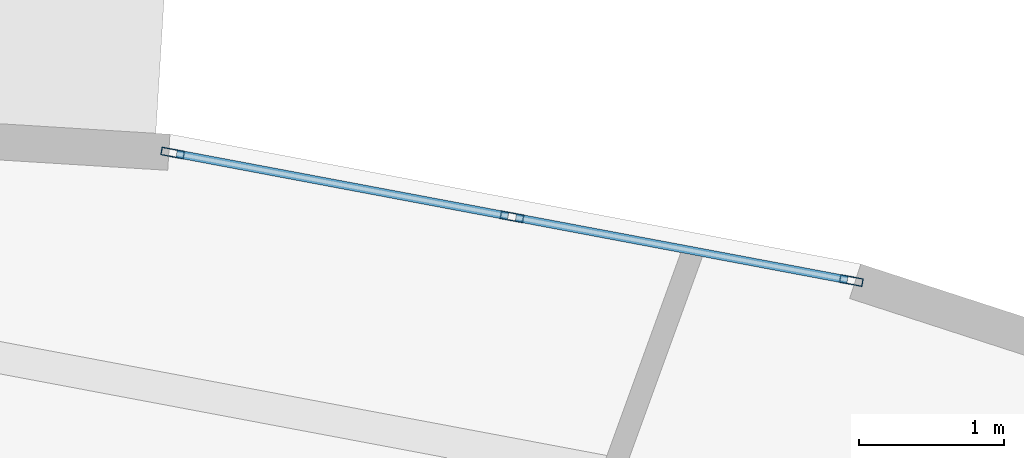
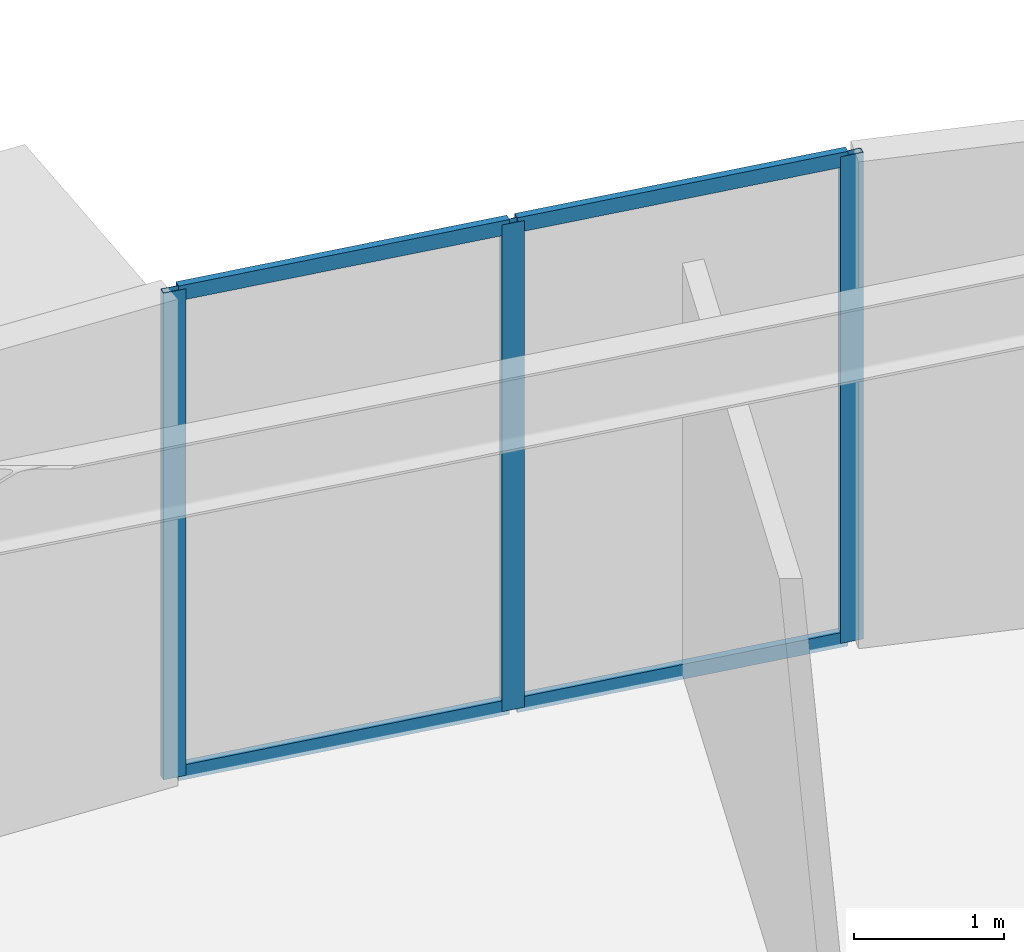
# One storey, part 11 of 28: 7 members, 1 element without a shape of its own.
"""IFC4 building model written with IfcOpenShell, lengths in metres."""

from ifc_helpers import new_model, si_unit, direction, frame, origin, origin_2d, place, context, subcontext, project, spatial, hollow_rectangle, extrude, source, transform, mapped, material, layer, layer_set, material_profile, profile_set, type_object, element, aggregate, save


model = new_model("IFC4")

# Units and contexts
model_context = context("Model", 3, precision=1e-05, world=origin(), true_north=direction((0.0, 1.0)))
body_context = subcontext(model_context, "Body", "Model", "MODEL_VIEW")
ifc_project = project(units=[si_unit("LENGTHUNIT", "METRE"), si_unit("AREAUNIT", "SQUARE_METRE"), si_unit("VOLUMEUNIT", "CUBIC_METRE"), si_unit("PLANEANGLEUNIT", "RADIAN"), si_unit("MASSUNIT", "GRAM", prefix="KILO")], contexts=[model_context])

# Site, building, storey
site_placement = place(None, origin())
site = spatial("IfcSite", under=ifc_project, at=site_placement, CompositionType="ELEMENT")
building_placement = place(site_placement, origin())
building = spatial("IfcBuilding", under=site, at=building_placement, Name="Linh Dai School and Residence Tower", CompositionType="ELEMENT")
storey_placement = place(building_placement, frame((0.0, 0.0, 36.60009765625)))
storey = spatial("IfcBuildingStorey", under=building, at=storey_placement, Name="L08", CompositionType="ELEMENT", Elevation=36.60009765625)

# Curtain wall, members
ifc_material_1 = material(Name="Aluminium Anodised Curtain Wall", Category="aluminium")
ifc_layer = layer(ifc_material_1, 0.159912109375)
ifc_layer_set = layer_set([ifc_layer], Name="Aluminium Anodised Curtain Wall")
curtain_wall_type = type_object("IfcCurtainWallType", Name="CW-SYS-3", PredefinedType="USERDEFINED", material=ifc_layer_set)
curtain_wall_placement = place(storey_placement, origin())
curtain_wall = element("IfcCurtainWall", 1, at=curtain_wall_placement, inside=storey, type_object=curtain_wall_type, Name="L08 CW3 Curtain Wall 09", ObjectType="RIBBON CURTAIN WALL", PredefinedType="USERDEFINED")
ifc_material_2 = material(Name="Aluminium Alloy 6063-T6", Category="aluminium")
ifc_material_profile_1 = material_profile(ifc_material_2, hollow_rectangle(XDim=0.054931640625, YDim=0.1201171875, WallThickness=0.00390625, at=origin_2d()), Name="RHS 120x55x4")
ifc_profile_set_1 = profile_set([ifc_material_profile_1], Name="Aluminium Alloy 6063-T6")
member_type_1 = type_object("IfcMemberType", Name="CW-SYS-3-TRN", PredefinedType="USERDEFINED", material=ifc_profile_set_1)
shared_shape_1 = source(origin(), body_context, "Body", "SweptSolid", [
    extrude(hollow_rectangle(XDim=0.054931640625, YDim=0.1201171875, WallThickness=0.00390625, at=origin_2d()), origin(), (0.0, 0.0, 1.0), 2.331787109375),
])
member_1_placement = place(storey_placement, frame((40.91943359375, 50.9951171875, 0.02734375), z_axis=(0.98277485102, -0.184806905183, 0.0), x_axis=(0.184806905183, 0.98277485102, 0.0)))
member_1 = element("IfcMember", 2, at=member_1_placement, type_object=member_type_1, Name="CW3 transom 1.1", ObjectType="TRANSOM", PredefinedType="USERDEFINED", context=body_context, shape_type="MappedRepresentation", body=[
    mapped(shared_shape_1, transform((0.0, 0.0, 0.0), x_axis=(1.0, 0.0, 0.0), y_axis=(0.0, 1.0, 0.0), z_axis=(0.0, 0.0, 1.0), scale=1.0)),
])
member_2_placement = place(storey_placement, frame((40.91943359375, 50.9951171875, 3.92236328125), z_axis=(0.98277485102, -0.184806905183, 0.0), x_axis=(0.184806905183, 0.98277485102, 0.0)))
member_2 = element("IfcMember", 3, at=member_2_placement, type_object=member_type_1, Name="CW3 transom 1.2", ObjectType="TRANSOM", PredefinedType="USERDEFINED", context=body_context, shape_type="MappedRepresentation", body=[
    mapped(shared_shape_1, transform((0.0, 0.0, 0.0), x_axis=(1.0, 0.0, 0.0), y_axis=(0.0, 1.0, 0.0), z_axis=(0.0, 0.0, 1.0), scale=1.0)),
])
member_3_placement = place(storey_placement, frame((43.264892578125, 50.55419921875, 0.02734375), z_axis=(0.98277485102, -0.184806905183, 0.0), x_axis=(0.184806905183, 0.98277485102, 0.0)))
member_3 = element("IfcMember", 4, at=member_3_placement, type_object=member_type_1, Name="CW3 transom 2.1", ObjectType="TRANSOM", PredefinedType="USERDEFINED", context=body_context, shape_type="MappedRepresentation", body=[
    mapped(shared_shape_1, transform((0.0, 0.0, 0.0), x_axis=(1.0, 0.0, 0.0), y_axis=(0.0, 1.0, 0.0), z_axis=(0.0, 0.0, 1.0), scale=1.0)),
])
member_4_placement = place(storey_placement, frame((43.264892578125, 50.55419921875, 3.92236328125), z_axis=(0.98277485102, -0.184806905183, 0.0), x_axis=(0.184806905183, 0.98277485102, 0.0)))
member_4 = element("IfcMember", 5, at=member_4_placement, type_object=member_type_1, Name="CW3 transom 2.2", ObjectType="TRANSOM", PredefinedType="USERDEFINED", context=body_context, shape_type="MappedRepresentation", body=[
    mapped(shared_shape_1, transform((0.0, 0.0, 0.0), x_axis=(1.0, 0.0, 0.0), y_axis=(0.0, 1.0, 0.0), z_axis=(0.0, 0.0, 1.0), scale=1.0)),
])
ifc_material_profile_2 = material_profile(ifc_material_2, hollow_rectangle(XDim=0.054931640625, YDim=0.159912109375, WallThickness=0.00390625, at=origin_2d()), Name="RHS 160x55x4")
ifc_profile_set_2 = profile_set([ifc_material_profile_2], Name="Aluminium Alloy 6063-T6")
member_type_2 = type_object("IfcMemberType", Name="CW-SYS-3-MUL", PredefinedType="MULLION", material=ifc_profile_set_2)
shared_shape_2 = source(origin(), body_context, "Body", "SweptSolid", [
    extrude(hollow_rectangle(XDim=0.054931640625, YDim=0.159912109375, WallThickness=0.00390625, at=origin_2d()), origin(), (0.0, 0.0, 1.0), 3.949951171875),
])
member_5_placement = place(storey_placement, frame((40.892333984375, 51.0, 0.0), z_axis=(0.0, 0.0, 1.0), x_axis=(0.184747948944, 0.982785935675, 0.0)))
member_5 = element("IfcMember", 6, at=member_5_placement, type_object=member_type_2, Name="CW3 mullion 1", PredefinedType="MULLION", context=body_context, shape_type="MappedRepresentation", body=[
    mapped(shared_shape_2, transform((0.0, 0.0, 0.0), x_axis=(1.0, 0.0, 0.0), y_axis=(0.0, 1.0, 0.0), z_axis=(0.0, 0.0, 1.0), scale=1.0)),
])
member_6_placement = place(storey_placement, frame((43.238037109375, 50.55908203125, 0.0), z_axis=(0.0, 0.0, 1.0), x_axis=(0.184747948944, 0.982785935675, 0.0)))
member_6 = element("IfcMember", 7, at=member_6_placement, type_object=member_type_2, Name="CW3 mullion 2", PredefinedType="MULLION", context=body_context, shape_type="MappedRepresentation", body=[
    mapped(shared_shape_2, transform((0.0, 0.0, 0.0), x_axis=(1.0, 0.0, 0.0), y_axis=(0.0, 1.0, 0.0), z_axis=(0.0, 0.0, 1.0), scale=1.0)),
])
member_7_placement = place(storey_placement, frame((45.58349609375, 50.1181640625, 0.0), z_axis=(0.0, 0.0, 1.0), x_axis=(0.184747948944, 0.982785935675, 0.0)))
member_7 = element("IfcMember", 8, at=member_7_placement, type_object=member_type_2, Name="CW3 mullion 3", PredefinedType="MULLION", context=body_context, shape_type="MappedRepresentation", body=[
    mapped(shared_shape_2, transform((0.0, 0.0, 0.0), x_axis=(1.0, 0.0, 0.0), y_axis=(0.0, 1.0, 0.0), z_axis=(0.0, 0.0, 1.0), scale=1.0)),
])
aggregate(curtain_wall, [member_5, member_6, member_7, member_1, member_2, member_3, member_4])

save(model, "model.ifc")
